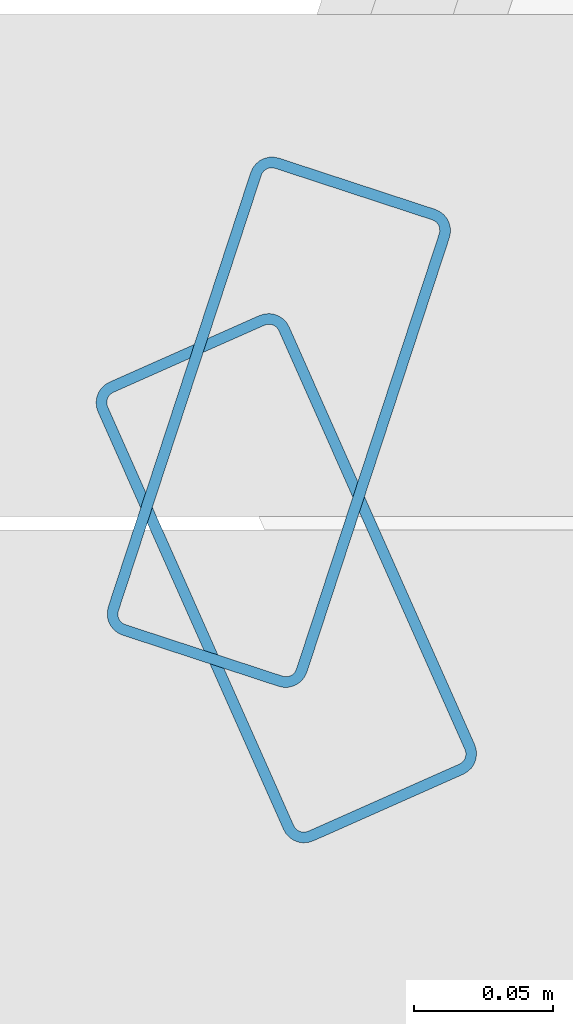
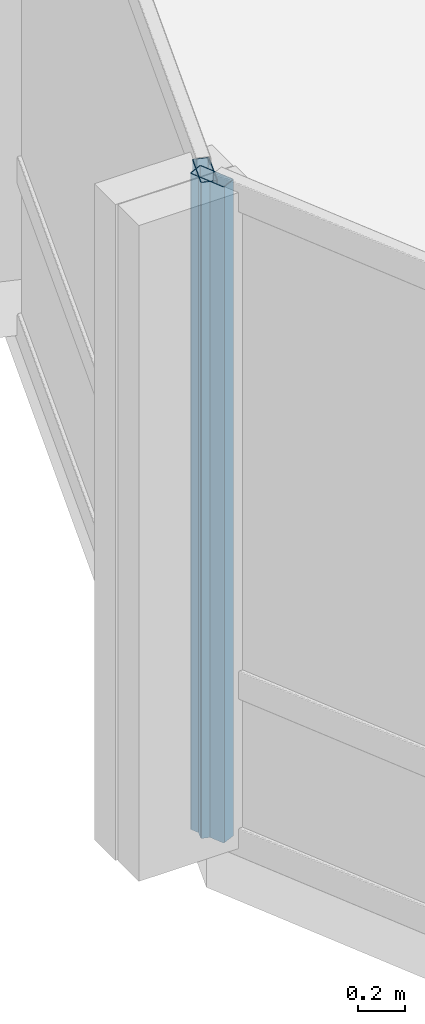
# One storey, part 6 of 28: 2 members, 2 elements without a shape of their own.
"""IFC4 building model written with IfcOpenShell, lengths in metres."""

from ifc_helpers import new_model, si_unit, direction, frame, origin, origin_2d, place, context, subcontext, project, spatial, hollow_rectangle, extrude, material, layer, layer_set, material_profile, profile_set, type_object, element, aggregate, save


model = new_model("IFC4")

# Units and contexts
model_context = context("Model", 3, precision=1e-05, world=origin(), true_north=direction((0.0, 1.0)))
body_context = subcontext(model_context, "Body", "Model", "MODEL_VIEW")
ifc_project = project(units=[si_unit("LENGTHUNIT", "METRE"), si_unit("AREAUNIT", "SQUARE_METRE"), si_unit("VOLUMEUNIT", "CUBIC_METRE"), si_unit("PLANEANGLEUNIT", "RADIAN"), si_unit("MASSUNIT", "GRAM", prefix="KILO")], contexts=[model_context])

# Site, building, storey
site_placement = place(None, origin())
site = spatial("IfcSite", under=ifc_project, at=site_placement, CompositionType="ELEMENT")
building_placement = place(site_placement, origin())
building = spatial("IfcBuilding", under=site, at=building_placement, Name="Solvaryn Broadcast Tower", CompositionType="ELEMENT")
storey_placement = place(building_placement, frame((0.0, 0.0, 135.89990234375)))
storey = spatial("IfcBuildingStorey", under=building, at=storey_placement, Name="L33", CompositionType="ELEMENT", Elevation=135.89990234375)

# Curtain wall, member
ifc_material_1 = material(Name="Aluminium and Terracotta Unitised Curtain Wall", Category="masonry")
ifc_layer = layer(ifc_material_1, 0.199951171875)
ifc_layer_set = layer_set([ifc_layer], Name="CW-SYS2-LOWMID")
curtain_wall_type = type_object("IfcCurtainWallType", Name="CW-SYS2-LOWMID", PredefinedType="NOTDEFINED", material=ifc_layer_set)
curtain_wall_1_placement = place(storey_placement, origin())
curtain_wall_1 = element("IfcCurtainWall", 1, at=curtain_wall_1_placement, inside=storey, type_object=curtain_wall_type, Name="L33 Curtain Wall DR1", PredefinedType="NOTDEFINED")
ifc_material_2 = material(Name="Anodised Aluminium 6063-T6", Category="aluminium")
ifc_material_profile = material_profile(ifc_material_2, hollow_rectangle(XDim=0.074951171875, YDim=0.179931640625, WallThickness=0.00390625, InnerFilletRadius=0.00390625, OuterFilletRadius=0.008056640625, at=origin_2d()))
ifc_profile_set = profile_set([ifc_material_profile], Name="Anodised Aluminium 6063-T6")
member_type = type_object("IfcMemberType", Name="CW-MUL-180", PredefinedType="MULLION", material=ifc_profile_set)
member_1_placement = place(storey_placement, frame((1.04345703125, 26.66455078125, 0.0), z_axis=(0.0, 0.0, 1.0), x_axis=(0.950198260794, -0.311646057547, 0.0)))
member_1 = element("IfcMember", 2, at=member_1_placement, type_object=member_type, Name="CWS2 mullion 2", PredefinedType="MULLION", context=body_context, shape_type="SweptSolid", body=[
    extrude(hollow_rectangle(XDim=0.074951171875, YDim=0.179931640625, WallThickness=0.00390625, InnerFilletRadius=0.00390625, OuterFilletRadius=0.008056640625, at=origin_2d()), origin(), (0.0, 0.0, 1.0), 3.420166015625),
])
aggregate(curtain_wall_1, [member_1])

curtain_wall_2_placement = place(storey_placement, origin())
curtain_wall_2 = element("IfcCurtainWall", 3, at=curtain_wall_2_placement, inside=storey, type_object=curtain_wall_type, Name="L33 Curtain Wall DR2", PredefinedType="NOTDEFINED")
member_2_placement = place(storey_placement, frame((1.046142578125, 26.608642578125, 0.0), z_axis=(0.0, 0.0, 1.0), x_axis=(0.913909311008, 0.405918429309, 0.0)))
member_2 = element("IfcMember", 4, at=member_2_placement, type_object=member_type, Name="CWS2 mullion 1", PredefinedType="MULLION", context=body_context, shape_type="SweptSolid", body=[
    extrude(hollow_rectangle(XDim=0.074951171875, YDim=0.179931640625, WallThickness=0.00390625, InnerFilletRadius=0.00390625, OuterFilletRadius=0.008056640625, at=origin_2d()), origin(), (0.0, 0.0, 1.0), 3.420166015625),
])
aggregate(curtain_wall_2, [member_2])

save(model, "model.ifc")
